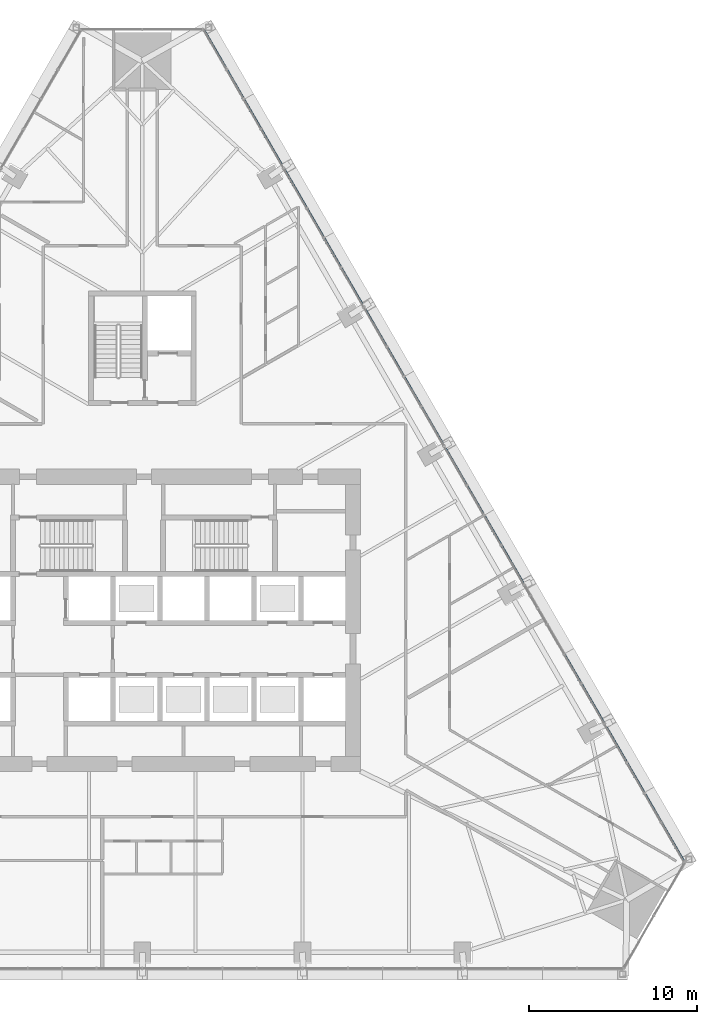
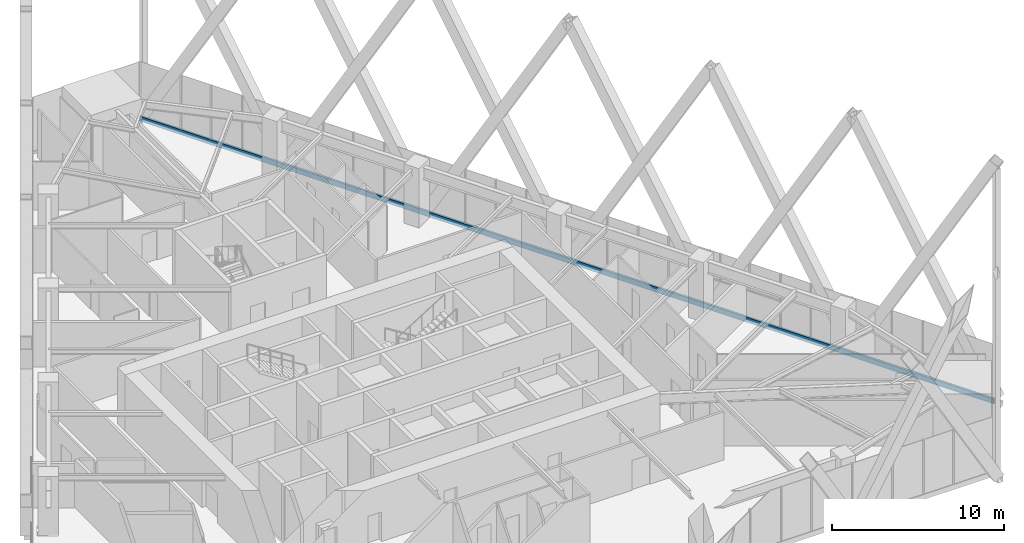
# One storey, part 9 of 23: 1 member, 1 element without a shape of its own.
"""IFC4 building model written with IfcOpenShell, lengths in metres."""

from ifc_helpers import new_model, si_unit, direction, frame, origin, origin_2d, place, context, subcontext, project, spatial, rectangle, extrude, material, layer, layer_set, material_profile, profile_set, type_object, element, aggregate, save


model = new_model("IFC4")

# Units and contexts
model_context = context("Model", 3, precision=1e-05, world=origin(), true_north=direction((0.0, 1.0)))
body_context = subcontext(model_context, "Body", "Model", "MODEL_VIEW")
ifc_project = project(units=[si_unit("LENGTHUNIT", "METRE"), si_unit("AREAUNIT", "SQUARE_METRE"), si_unit("VOLUMEUNIT", "CUBIC_METRE"), si_unit("PLANEANGLEUNIT", "RADIAN"), si_unit("MASSUNIT", "GRAM", prefix="KILO")], contexts=[model_context])

# Site, building, storey
site_placement = place(None, origin())
site = spatial("IfcSite", under=ifc_project, at=site_placement, CompositionType="ELEMENT")
building_placement = place(site_placement, origin())
building = spatial("IfcBuilding", under=site, at=building_placement, Name="Firuza Gate Tower and Library", CompositionType="ELEMENT")
storey_placement = place(building_placement, frame((0.0, 0.0, 56.800048828125)))
storey = spatial("IfcBuildingStorey", under=building, at=storey_placement, Name="L12", CompositionType="ELEMENT", Elevation=56.800048828125)

# Curtain wall, member
ifc_material_1 = material(Name="Aluminium 6063-T6", Category="aluminium")
ifc_layer = layer(ifc_material_1, 0.14990234375)
ifc_layer_set = layer_set([ifc_layer], Name="Unitised curtain wall, offices")
curtain_wall_type = type_object("IfcCurtainWallType", Name="Unitised curtain wall, offices", PredefinedType="NOTDEFINED", material=ifc_layer_set)
curtain_wall_placement = place(storey_placement, origin())
curtain_wall = element("IfcCurtainWall", 1, at=curtain_wall_placement, inside=storey, type_object=curtain_wall_type, Name="CW1 L12 E face", PredefinedType="NOTDEFINED")
ifc_material_2 = material(Name="Aluminium 6063-T6", Category="aluminium")
ifc_material_profile = material_profile(ifc_material_2, rectangle(XDim=0.14990234375, YDim=0.35009765625, at=origin_2d()))
ifc_profile_set = profile_set([ifc_material_profile], Name="Aluminium 6063-T6")
member_type = type_object("IfcMemberType", Name="Curtain wall transom 350x150", PredefinedType="USERDEFINED", material=ifc_profile_set)
member_placement = place(storey_placement, frame((107.2900390625, 60.564208984375, -0.025146484375), z_axis=(-0.499999346088, 0.866025781321, 0.0), x_axis=(-0.866025781321, -0.499999346088, 0.0)))
member = element("IfcMember", 2, at=member_placement, type_object=member_type, Name="Transom", ObjectType="TRANSOM", PredefinedType="USERDEFINED", context=body_context, shape_type="SweptSolid", body=[
    extrude(rectangle(XDim=0.14990234375, YDim=0.35009765625, at=origin_2d()), origin(), (0.0, 0.0, 1.0), 57.29345703125),
])
aggregate(curtain_wall, [member])

save(model, "model.ifc")
